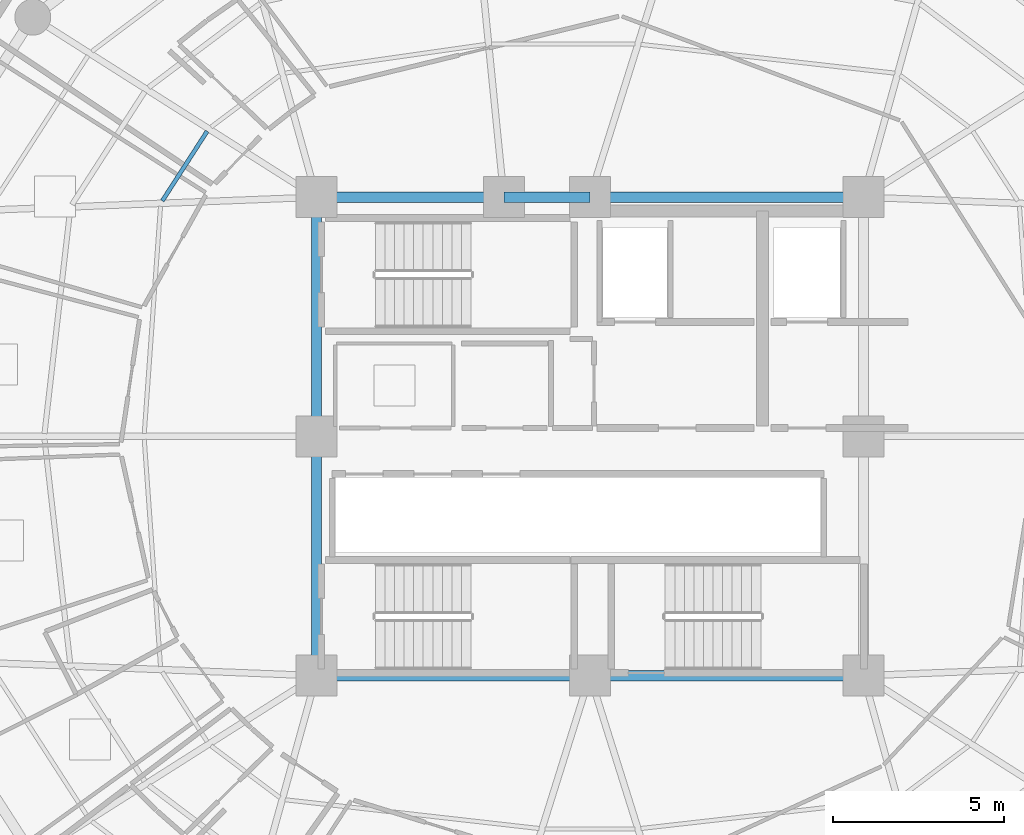
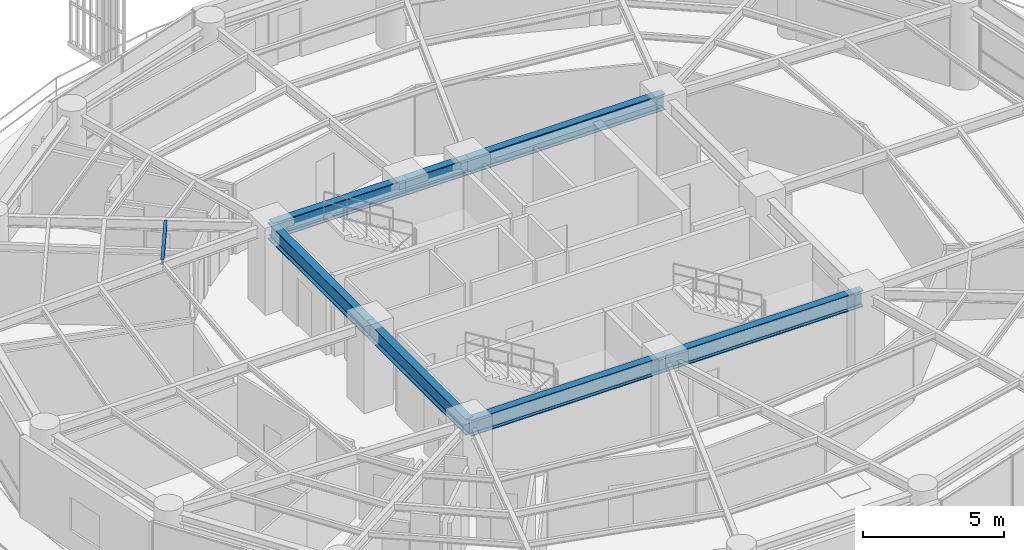
# One storey, part 9 of 30: 8 beams.
"""IFC4 building model written with IfcOpenShell, lengths in metres."""

from ifc_helpers import new_model, si_unit, direction, frame, origin, origin_2d, place, context, subcontext, project, spatial, i_section, extrude, material, material_profile, profile_set, type_object, element, save


model = new_model("IFC4")

# Units and contexts
model_context = context("Model", 3, precision=1e-05, world=origin(), true_north=direction((0.0, 1.0)))
body_context = subcontext(model_context, "Body", "Model", "MODEL_VIEW")
ifc_project = project(units=[si_unit("LENGTHUNIT", "METRE"), si_unit("AREAUNIT", "SQUARE_METRE"), si_unit("VOLUMEUNIT", "CUBIC_METRE"), si_unit("PLANEANGLEUNIT", "RADIAN"), si_unit("MASSUNIT", "GRAM", prefix="KILO")], contexts=[model_context])

# Site, building, storey
site_placement = place(None, origin())
site = spatial("IfcSite", under=ifc_project, at=site_placement, CompositionType="ELEMENT")
building_placement = place(site_placement, origin())
building = spatial("IfcBuilding", under=site, at=building_placement, Name="Kelanora Arch Commons", CompositionType="ELEMENT")
storey_placement = place(building_placement, frame((0.0, 0.0, 211.949951171875)))
storey = spatial("IfcBuildingStorey", under=building, at=storey_placement, Name="L54", CompositionType="ELEMENT", Elevation=211.949951171875)

# Beams
ifc_material = material(Name="Steel S355", Category="steel")
ifc_material_profile_1 = material_profile(ifc_material, i_section(OverallWidth=0.300048828125, OverallDepth=0.699951171875, WebThickness=0.01708984375, FlangeThickness=0.031982421875, FilletRadius=0.027099609375, at=origin_2d()), Name="HEB700")
ifc_profile_set_1 = profile_set([ifc_material_profile_1], Name="Steel S355")
beam_type_1 = type_object("IfcBeamType", Name="BM-CORE-HDR", PredefinedType="BEAM", material=ifc_profile_set_1)
for number, where, z_axis, x_axis, name in (
    (1, (66.0, 51.0, 3.14013671875), (1.0, 0.0, 0.0), (0.0, 1.0, 0.0), "Core Header Beam 01 L54"),
    (2, (74.0, 51.0, 3.14013671875), (1.0, 0.0, 0.0), (0.0, 1.0, 0.0), "Core Header Beam 02 L54"),
    (3, (82.0, 65.0, 3.14013671875), (-1.0, 0.0, 0.0), (0.0, -1.0, 0.0), "Core Header Beam 05 L54"),
):
    element("IfcBeam", number, at=place(storey_placement, frame(where, z_axis=z_axis, x_axis=x_axis)), inside=storey, type_object=beam_type_1, Name=name, PredefinedType="BEAM", context=body_context, shape_type="SweptSolid", body=[
        extrude(i_section(OverallWidth=0.300048828125, OverallDepth=0.699951171875, WebThickness=0.01708984375, FlangeThickness=0.031982421875, FilletRadius=0.027099609375, at=origin_2d()), origin(), (0.0, 0.0, 1.0), 8.0),
    ])
beam_1_placement = place(storey_placement, frame((74.0, 65.0, 3.14013671875), z_axis=(-1.0, 0.0, 0.0), x_axis=(0.0, -1.0, 0.0)))
element("IfcBeam", 4, at=beam_1_placement, inside=storey, type_object=beam_type_1, Name="Core Header Beam 06 L54", PredefinedType="BEAM", context=body_context, shape_type="SweptSolid", body=[
    extrude(i_section(OverallWidth=0.300048828125, OverallDepth=0.699951171875, WebThickness=0.01708984375, FlangeThickness=0.031982421875, FilletRadius=0.027099609375, at=origin_2d()), origin(), (0.0, 0.0, 1.0), 2.52001953125),
])
beam_2_placement = place(storey_placement, frame((71.47998046875, 65.0, 3.14013671875), z_axis=(-1.0, 0.0, 0.0), x_axis=(0.0, -1.0, 0.0)))
element("IfcBeam", 5, at=beam_2_placement, inside=storey, type_object=beam_type_1, Name="Core Header Beam 07 L54", PredefinedType="BEAM", context=body_context, shape_type="SweptSolid", body=[
    extrude(i_section(OverallWidth=0.300048828125, OverallDepth=0.699951171875, WebThickness=0.01708984375, FlangeThickness=0.031982421875, FilletRadius=0.027099609375, at=origin_2d()), origin(), (0.0, 0.0, 1.0), 5.47998046875),
])
for number, where, z_axis, x_axis, name in (
    (6, (66.0, 65.0, 3.14013671875), (0.0, -1.0, 0.0), (1.0, 0.0, 0.0), "Core Header Beam 08 L54"),
    (7, (66.0, 58.0, 3.14013671875), (0.0, -1.0, 0.0), (1.0, 0.0, 0.0), "Core Header Beam 09 L54"),
):
    element("IfcBeam", number, at=place(storey_placement, frame(where, z_axis=z_axis, x_axis=x_axis)), inside=storey, type_object=beam_type_1, Name=name, PredefinedType="BEAM", context=body_context, shape_type="SweptSolid", body=[
        extrude(i_section(OverallWidth=0.300048828125, OverallDepth=0.699951171875, WebThickness=0.01708984375, FlangeThickness=0.031982421875, FilletRadius=0.027099609375, at=origin_2d()), origin(), (0.0, 0.0, 1.0), 7.0),
    ])
ifc_material_profile_2 = material_profile(ifc_material, i_section(OverallWidth=0.1201171875, OverallDepth=0.239990234375, WebThickness=0.006103515625, FlangeThickness=0.009765625, FilletRadius=0.014892578125, at=origin_2d()), Name="IPE240")
ifc_profile_set_2 = profile_set([ifc_material_profile_2], Name="Steel S355")
beam_type_2 = type_object("IfcBeamType", Name="BM-JST-02", PredefinedType="JOIST", material=ifc_profile_set_2)
beam_3_placement = place(storey_placement, frame((62.79931640625, 66.928955078125, 3.3701171875), z_axis=(-0.541332763503, -0.840808443796, 0.0), x_axis=(0.840808443796, -0.541332763503, 0.0)))
element("IfcBeam", 8, at=beam_3_placement, inside=storey, type_object=beam_type_2, Name="Secondary Chord Joist BJA-14 L54", PredefinedType="JOIST", context=body_context, shape_type="SweptSolid", body=[
    extrude(i_section(OverallWidth=0.1201171875, OverallDepth=0.239990234375, WebThickness=0.006103515625, FlangeThickness=0.009765625, FilletRadius=0.014892578125, at=origin_2d()), origin(), (0.0, 0.0, 1.0), 2.423583984375),
])

save(model, "model.ifc")
